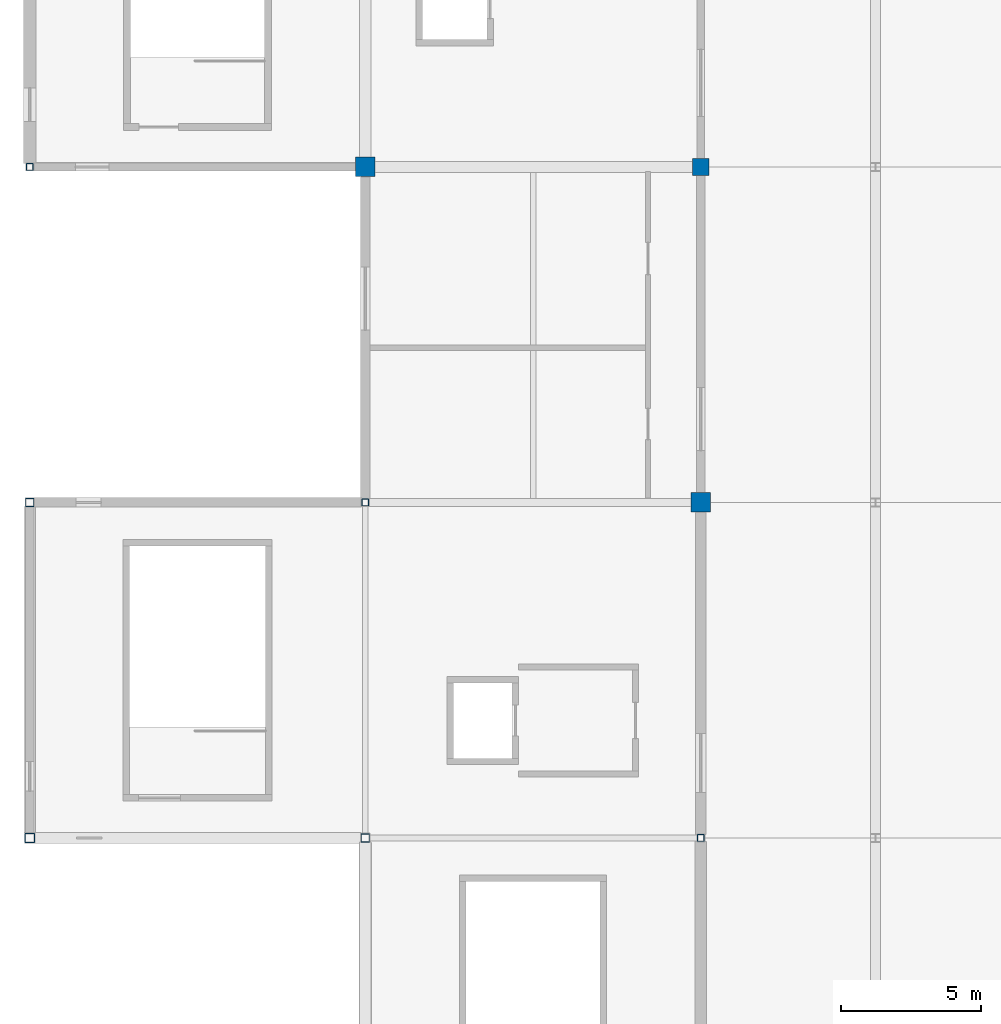
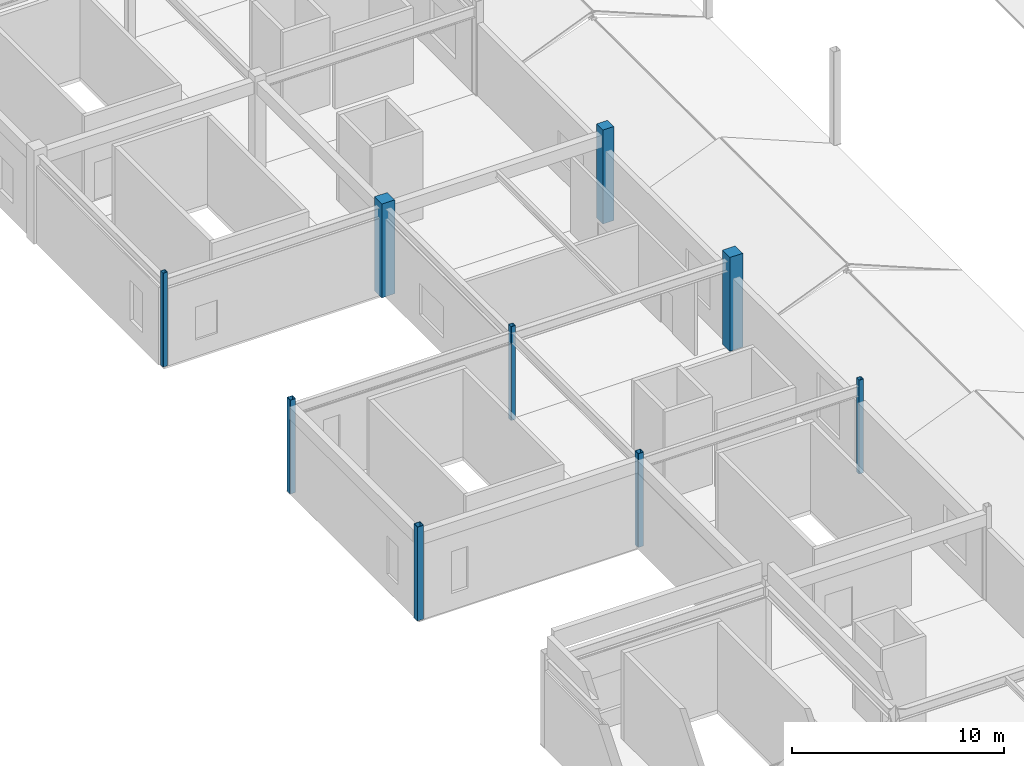
# One storey, part 9 of 76: 9 columns.
"""IFC4 building model written with IfcOpenShell, lengths in metres."""

from ifc_helpers import new_model, si_unit, direction, frame, origin, origin_2d, place, context, subcontext, project, spatial, rectangle, hollow_rectangle, extrude, material, material_profile, profile_set, type_object, element, save


model = new_model("IFC4")

# Units and contexts
model_context = context("Model", 3, precision=1e-05, world=origin(), true_north=direction((0.0, 1.0)))
body_context = subcontext(model_context, "Body", "Model", "MODEL_VIEW")
ifc_project = project(units=[si_unit("LENGTHUNIT", "METRE"), si_unit("AREAUNIT", "SQUARE_METRE"), si_unit("VOLUMEUNIT", "CUBIC_METRE"), si_unit("PLANEANGLEUNIT", "RADIAN"), si_unit("MASSUNIT", "GRAM", prefix="KILO")], contexts=[model_context])

# Site, building, storey
site_placement = place(None, origin())
site = spatial("IfcSite", under=ifc_project, at=site_placement, CompositionType="ELEMENT")
building_placement = place(site_placement, origin())
building = spatial("IfcBuilding", under=site, at=building_placement, Name="Kazenohara Klinker Stadium", CompositionType="ELEMENT")
storey_placement = place(building_placement, frame((0.0, 0.0, 25.800048828125)))
storey = spatial("IfcBuildingStorey", under=building, at=storey_placement, Name="L05", CompositionType="ELEMENT", Elevation=25.800048828125)

# Columns
ifc_material_1 = material(Name="Concrete C40/50", Category="concrete")
ifc_material_profile_1 = material_profile(ifc_material_1, rectangle(XDim=0.699951171875, YDim=0.699951171875, at=origin_2d()), Name="RC-COL-700x700")
ifc_profile_set_1 = profile_set([ifc_material_profile_1], Name="Concrete C40/50")
column_type_1 = type_object("IfcColumnType", Name="COL-RC06", PredefinedType="COLUMN", material=ifc_profile_set_1)
for number, where, z_axis, x_axis, name in (
    (1, (12.0, 132.0, 0.0), (0.0, 0.0, 1.0), (1.0, 0.0, 0.0), "Column C06 L05 2/M"),
    (2, (24.0, 120.0, 0.0), (0.0, 0.0, 1.0), (1.0, 0.0, 0.0), "Column C06 L05 3/L"),
):
    element("IfcColumn", number, at=place(storey_placement, frame(where, z_axis=z_axis, x_axis=x_axis)), inside=storey, type_object=column_type_1, Name=name, PredefinedType="COLUMN", context=body_context, shape_type="SweptSolid", body=[
        extrude(rectangle(XDim=0.699951171875, YDim=0.699951171875, at=origin_2d()), origin(), (0.0, 0.0, 1.0), 5.39990234375),
    ])
ifc_material_profile_2 = material_profile(ifc_material_1, rectangle(XDim=0.60009765625, YDim=0.60009765625, at=origin_2d()), Name="RC-COL-600x600")
ifc_profile_set_2 = profile_set([ifc_material_profile_2], Name="Concrete C40/50")
column_type_2 = type_object("IfcColumnType", Name="COL-RC07", PredefinedType="COLUMN", material=ifc_profile_set_2)
column_1_placement = place(storey_placement, frame((24.0, 132.0, 0.0), z_axis=(0.0, 0.0, 1.0), x_axis=(1.0, 0.0, 0.0)))
element("IfcColumn", 3, at=column_1_placement, inside=storey, type_object=column_type_2, Name="Column C07 L05 3/M", PredefinedType="COLUMN", context=body_context, shape_type="SweptSolid", body=[
    extrude(rectangle(XDim=0.60009765625, YDim=0.60009765625, at=origin_2d()), origin(), (0.0, 0.0, 1.0), 5.39990234375),
])
ifc_material_2 = material(Name="Steel S355", Category="steel")
ifc_material_profile_3 = material_profile(ifc_material_2, hollow_rectangle(XDim=0.35009765625, YDim=0.35009765625, WallThickness=0.01611328125, InnerFilletRadius=0.01611328125, OuterFilletRadius=0.031982421875, at=origin_2d()), Name="SHS-350x350x16")
ifc_profile_set_3 = profile_set([ifc_material_profile_3], Name="Steel S355")
column_type_3 = type_object("IfcColumnType", Name="COL-ST02", PredefinedType="COLUMN", material=ifc_profile_set_3)
column_2_placement = place(storey_placement, frame((0.0, 108.0, 0.0), z_axis=(0.0, 0.0, 1.0), x_axis=(1.0, 0.0, 0.0)))
element("IfcColumn", 4, at=column_2_placement, inside=storey, type_object=column_type_3, Name="Column SC02 L05 1/K", PredefinedType="COLUMN", context=body_context, shape_type="SweptSolid", body=[
    extrude(hollow_rectangle(XDim=0.35009765625, YDim=0.35009765625, WallThickness=0.01611328125, InnerFilletRadius=0.01611328125, OuterFilletRadius=0.031982421875, at=origin_2d()), origin(), (0.0, 0.0, 1.0), 5.39990234375),
])
ifc_material_profile_4 = material_profile(ifc_material_2, hollow_rectangle(XDim=0.300048828125, YDim=0.300048828125, WallThickness=0.011962890625, InnerFilletRadius=0.011962890625, OuterFilletRadius=0.02392578125, at=origin_2d()), Name="SHS-300x300x12")
ifc_profile_set_4 = profile_set([ifc_material_profile_4], Name="Steel S355")
column_type_4 = type_object("IfcColumnType", Name="COL-ST03", PredefinedType="COLUMN", material=ifc_profile_set_4)
for number, where, z_axis, x_axis, name in (
    (5, (0.0, 120.0, 0.0), (0.0, 0.0, 1.0), (1.0, 0.0, 0.0), "Column SC03 L05 1/L"),
    (6, (12.0, 108.0, 0.0), (0.0, 0.0, 1.0), (1.0, 0.0, 0.0), "Column SC03 L05 2/K"),
):
    element("IfcColumn", number, at=place(storey_placement, frame(where, z_axis=z_axis, x_axis=x_axis)), inside=storey, type_object=column_type_4, Name=name, PredefinedType="COLUMN", context=body_context, shape_type="SweptSolid", body=[
        extrude(hollow_rectangle(XDim=0.300048828125, YDim=0.300048828125, WallThickness=0.011962890625, InnerFilletRadius=0.011962890625, OuterFilletRadius=0.02392578125, at=origin_2d()), origin(), (0.0, 0.0, 1.0), 5.39990234375),
    ])
ifc_material_profile_5 = material_profile(ifc_material_2, hollow_rectangle(XDim=0.25, YDim=0.25, WallThickness=0.011962890625, InnerFilletRadius=0.011962890625, OuterFilletRadius=0.02392578125, at=origin_2d()), Name="SHS-250x250x12")
ifc_profile_set_5 = profile_set([ifc_material_profile_5], Name="Steel S355")
column_type_5 = type_object("IfcColumnType", Name="COL-ST04", PredefinedType="COLUMN", material=ifc_profile_set_5)
for number, where, z_axis, x_axis, name in (
    (7, (0.0, 132.0, 0.0), (0.0, 0.0, 1.0), (1.0, 0.0, 0.0), "Column SC04 L05 1/M"),
    (8, (12.0, 120.0, 0.0), (0.0, 0.0, 1.0), (1.0, 0.0, 0.0), "Column SC04 L05 2/L"),
    (9, (24.0, 108.0, 0.0), (0.0, 0.0, 1.0), (1.0, 0.0, 0.0), "Column SC04 L05 3/K"),
):
    element("IfcColumn", number, at=place(storey_placement, frame(where, z_axis=z_axis, x_axis=x_axis)), inside=storey, type_object=column_type_5, Name=name, PredefinedType="COLUMN", context=body_context, shape_type="SweptSolid", body=[
        extrude(hollow_rectangle(XDim=0.25, YDim=0.25, WallThickness=0.011962890625, InnerFilletRadius=0.011962890625, OuterFilletRadius=0.02392578125, at=origin_2d()), origin(), (0.0, 0.0, 1.0), 5.39990234375),
    ])

save(model, "model.ifc")
